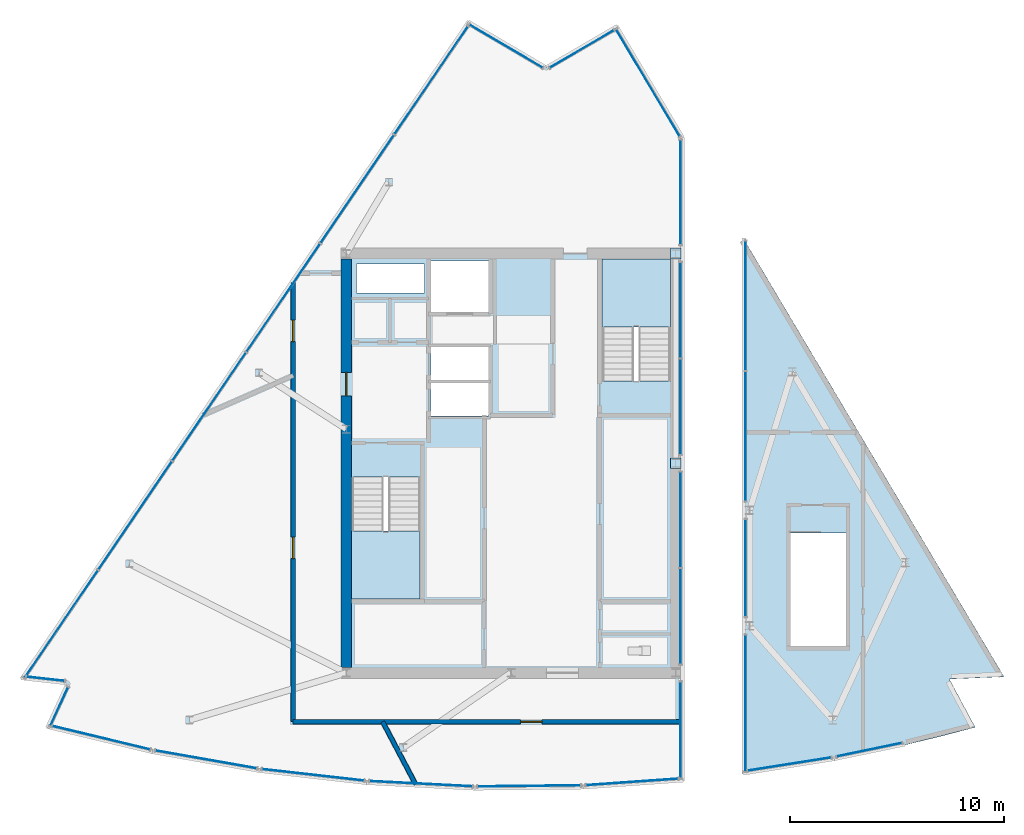
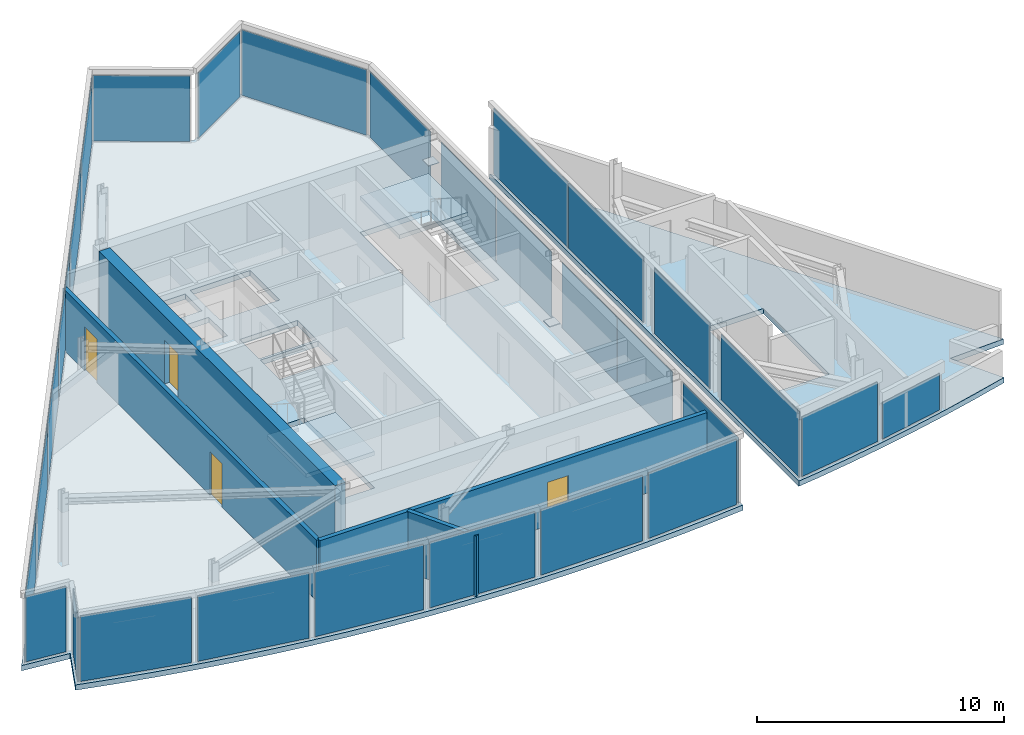
# One storey, part 7 of 13: 31 plates, 4 doors, 4 slabs, 4 walls, 4 openings, 23 elements without a shape of their own.
"""IFC4 building model written with IfcOpenShell, lengths in metres."""

from ifc_helpers import new_model, si_unit, direction, frame, frame_2d, origin, origin_2d, place, context, subcontext, project, spatial, polyline, rectangle, outline, extrude, material, layer, layer_set, type_object, element, fill, aggregate, save


model = new_model("IFC4")

# Units and contexts
model_context = context("Model", 3, precision=1e-05, world=origin(), true_north=direction((0.0, 1.0)))
body_context = subcontext(model_context, "Body", "Model", "MODEL_VIEW")
ifc_project = project(units=[si_unit("LENGTHUNIT", "METRE"), si_unit("AREAUNIT", "SQUARE_METRE"), si_unit("VOLUMEUNIT", "CUBIC_METRE"), si_unit("PLANEANGLEUNIT", "RADIAN"), si_unit("MASSUNIT", "GRAM", prefix="KILO")], contexts=[model_context])

# Site, building, storey
site_placement = place(None, origin())
site = spatial("IfcSite", under=ifc_project, at=site_placement, CompositionType="ELEMENT")
building_placement = place(site_placement, origin())
building = spatial("IfcBuilding", under=site, at=building_placement, Name="Savorim Split Tower", CompositionType="ELEMENT")
storey_placement = place(building_placement, frame((0.0, 0.0, 312.0)))
storey = spatial("IfcBuildingStorey", under=building, at=storey_placement, Name="Crown L83 Plant", CompositionType="ELEMENT", Elevation=312.0)

# Curtain wall, plate
ifc_material_1 = material(Name="Dark Ceramic-Fritted Insulated Glass", Category="glass")
curtain_wall_type = type_object("IfcCurtainWallType", Name="CW-CROWN-CREST", PredefinedType="NOTDEFINED", material=ifc_material_1)
curtain_wall_1_placement = place(storey_placement, origin())
curtain_wall_1 = element("IfcCurtainWall", 1, at=curtain_wall_1_placement, inside=storey, type_object=curtain_wall_type, Name="Crown L83 Plant Curtain Wall CW-Crown-L83-Plant-W1AS1", PredefinedType="NOTDEFINED")
ifc_layer_1 = layer(ifc_material_1, 0.02587890625)
ifc_layer_set_1 = layer_set([ifc_layer_1], Name="CWP-FRITB-26")
plate_type_1 = type_object("IfcPlateType", Name="CWP-FRITB-26", PredefinedType="CURTAIN_PANEL", material=ifc_layer_set_1)
plate_1_placement = place(storey_placement, frame((7.929931640625, -12.067626953125, 0.0498046875), z_axis=(0.0, 0.0, 1.0), x_axis=(0.0, 1.0, 0.0)))
plate_1 = element("IfcPlate", 2, at=plate_1_placement, type_object=plate_type_1, Name="CW-07 panel 1.1", PredefinedType="CURTAIN_PANEL", context=body_context, shape_type="SweptSolid", body=[
    extrude(rectangle(XDim=4.483154296875, YDim=0.02587890625, at=origin_2d()), origin(), (0.0, 0.0, 1.0), 3.239990234375),
])
aggregate(curtain_wall_1, [plate_1])

# Curtain wall, plates
curtain_wall_2_placement = place(storey_placement, origin())
curtain_wall_2 = element("IfcCurtainWall", 3, at=curtain_wall_2_placement, inside=storey, type_object=curtain_wall_type, Name="Crown L83 Plant Curtain Wall CW-Crown-L83-Plant-W1AS2", PredefinedType="NOTDEFINED")
plate_2_placement = place(storey_placement, frame((7.929931640625, -6.751953125, 0.0498046875), z_axis=(0.0, 0.0, 1.0), x_axis=(0.0, 1.0, 0.0)))
plate_2 = element("IfcPlate", 4, at=plate_2_placement, type_object=plate_type_1, Name="CW-07 panel 1.1", PredefinedType="CURTAIN_PANEL", context=body_context, shape_type="SweptSolid", body=[
    extrude(rectangle(XDim=4.444091796875, YDim=0.02587890625, at=origin_2d()), origin(), (0.0, 0.0, 1.0), 3.239990234375),
])
plate_3_placement = place(storey_placement, frame((7.929931640625, -2.248046875, 0.0498046875), z_axis=(0.0, 0.0, 1.0), x_axis=(0.0, 1.0, 0.0)))
plate_3 = element("IfcPlate", 5, at=plate_3_placement, type_object=plate_type_1, Name="CW-07 panel 2.1", PredefinedType="CURTAIN_PANEL", context=body_context, shape_type="SweptSolid", body=[
    extrude(rectangle(XDim=4.444091796875, YDim=0.02587890625, at=origin_2d()), origin(), (0.0, 0.0, 1.0), 3.239990234375),
])
aggregate(curtain_wall_2, [plate_2, plate_3])

curtain_wall_3_placement = place(storey_placement, origin())
curtain_wall_3 = element("IfcCurtainWall", 6, at=curtain_wall_3_placement, inside=storey, type_object=curtain_wall_type, Name="Crown L83 Plant Curtain Wall CW-Crown-L83-Plant-W1AS3", PredefinedType="NOTDEFINED")
plate_4_placement = place(storey_placement, frame((7.929931640625, 3.048095703125, 0.0498046875), z_axis=(0.0, 0.0, 1.0), x_axis=(0.0, 1.0, 0.0)))
plate_4 = element("IfcPlate", 7, at=plate_4_placement, type_object=plate_type_1, Name="CW-07 panel 1.1", PredefinedType="CURTAIN_PANEL", context=body_context, shape_type="SweptSolid", body=[
    extrude(rectangle(XDim=4.444091796875, YDim=0.02587890625, at=origin_2d()), origin(), (0.0, 0.0, 1.0), 3.239990234375),
])
plate_5_placement = place(storey_placement, frame((7.929931640625, 7.552001953125, 0.0498046875), z_axis=(0.0, 0.0, 1.0), x_axis=(0.0, 1.0, 0.0)))
plate_5 = element("IfcPlate", 8, at=plate_5_placement, type_object=plate_type_1, Name="CW-07 panel 2.1", PredefinedType="CURTAIN_PANEL", context=body_context, shape_type="SweptSolid", body=[
    extrude(rectangle(XDim=4.444091796875, YDim=0.02587890625, at=origin_2d()), origin(), (0.0, 0.0, 1.0), 3.239990234375),
])
aggregate(curtain_wall_3, [plate_4, plate_5])

# Curtain wall, plate
curtain_wall_4_placement = place(storey_placement, origin())
curtain_wall_4 = element("IfcCurtainWall", 9, at=curtain_wall_4_placement, inside=storey, type_object=curtain_wall_type, Name="Crown L83 Plant Curtain Wall CW-Crown-L83-Plant-W1AS4", PredefinedType="NOTDEFINED")
plate_6_placement = place(storey_placement, frame((7.929931640625, 13.060302734375, 0.0498046875), z_axis=(0.0, 0.0, 1.0), x_axis=(0.0, 1.0, 0.0)))
plate_6 = element("IfcPlate", 10, at=plate_6_placement, type_object=plate_type_1, Name="CW-07 panel 1.1", PredefinedType="CURTAIN_PANEL", context=body_context, shape_type="SweptSolid", body=[
    extrude(rectangle(XDim=4.868896484375, YDim=0.02587890625, at=origin_2d()), origin(), (0.0, 0.0, 1.0), 3.239990234375),
])
aggregate(curtain_wall_4, [plate_6])

curtain_wall_5_placement = place(storey_placement, origin())
curtain_wall_5 = element("IfcCurtainWall", 11, at=curtain_wall_5_placement, inside=storey, type_object=curtain_wall_type, Name="Crown L83 Plant Curtain Wall CW-Crown-L83-Plant-W2A", PredefinedType="NOTDEFINED")
plate_7_placement = place(storey_placement, frame((6.394775390625, 18.18359375, 0.0498046875), z_axis=(0.0, 0.0, 1.0), x_axis=(-0.511102068801, 0.8595200261, 0.0)))
plate_7 = element("IfcPlate", 12, at=plate_7_placement, type_object=plate_type_1, Name="CW-07 panel 1.1", PredefinedType="CURTAIN_PANEL", context=body_context, shape_type="SweptSolid", body=[
    extrude(rectangle(XDim=5.793212890625, YDim=0.02587890625, at=origin_2d()), origin(), (0.0, 0.0, 1.0), 3.239990234375),
])
aggregate(curtain_wall_5, [plate_7])

curtain_wall_6_placement = place(storey_placement, origin())
curtain_wall_6 = element("IfcCurtainWall", 13, at=curtain_wall_6_placement, inside=storey, type_object=curtain_wall_type, Name="Crown L83 Plant Curtain Wall CW-Crown-L83-Plant-W3A", PredefinedType="NOTDEFINED")
plate_8_placement = place(storey_placement, frame((3.309326171875, 19.76220703125, 0.0498046875), z_axis=(0.0, 0.0, 1.0), x_axis=(-0.863981657012, -0.503523282824, 0.0)))
plate_8 = element("IfcPlate", 14, at=plate_8_placement, type_object=plate_type_1, Name="CW-07 panel 1.1", PredefinedType="CURTAIN_PANEL", context=body_context, shape_type="SweptSolid", body=[
    extrude(rectangle(XDim=3.4384765625, YDim=0.02587890625, at=origin_2d()), origin(), (0.0, 0.0, 1.0), 3.239990234375),
])
aggregate(curtain_wall_6, [plate_8])

curtain_wall_7_placement = place(storey_placement, origin())
curtain_wall_7 = element("IfcCurtainWall", 15, at=curtain_wall_7_placement, inside=storey, type_object=curtain_wall_type, Name="Crown L83 Plant Curtain Wall CW-Crown-L83-Plant-W4A", PredefinedType="NOTDEFINED")
plate_9_placement = place(storey_placement, frame((-0.23583984375, 19.89453125, 0.0498046875), z_axis=(0.0, 0.0, 1.0), x_axis=(-0.862122988493, 0.506699075105, 0.0)))
plate_9 = element("IfcPlate", 16, at=plate_9_placement, type_object=plate_type_1, Name="CW-07 panel 1.1", PredefinedType="CURTAIN_PANEL", context=body_context, shape_type="SweptSolid", body=[
    extrude(rectangle(XDim=3.936767578125, YDim=0.02587890625, at=origin_2d()), origin(), (0.0, 0.0, 1.0), 3.239990234375),
])
aggregate(curtain_wall_7, [plate_9])

# Curtain wall, plates
curtain_wall_8_placement = place(storey_placement, origin())
curtain_wall_8 = element("IfcCurtainWall", 17, at=curtain_wall_8_placement, inside=storey, type_object=curtain_wall_type, Name="Crown L83 Plant Curtain Wall CW-Crown-L83-Plant-W5A", PredefinedType="NOTDEFINED")
plate_10_placement = place(storey_placement, frame((-3.736083984375, 18.29052734375, 0.0498046875), z_axis=(0.0, 0.0, 1.0), x_axis=(-0.562465496553, -0.826820757593, 0.0)))
plate_10 = element("IfcPlate", 18, at=plate_10_placement, type_object=plate_type_1, Name="CW-07 panel 1.1", PredefinedType="CURTAIN_PANEL", context=body_context, shape_type="SweptSolid", body=[
    extrude(rectangle(XDim=6.061279296875, YDim=0.02587890625, at=origin_2d()), origin(), (0.0, 0.0, 1.0), 3.239990234375),
])
plate_11_placement = place(storey_placement, frame((-7.1875, 13.217041015625, 0.0498046875), z_axis=(0.0, 0.0, 1.0), x_axis=(-0.562465496553, -0.826820757593, 0.0)))
plate_11 = element("IfcPlate", 19, at=plate_11_placement, type_object=plate_type_1, Name="CW-07 panel 2.1", PredefinedType="CURTAIN_PANEL", context=body_context, shape_type="SweptSolid", body=[
    extrude(rectangle(XDim=6.09130859375, YDim=0.02587890625, at=origin_2d()), origin(), (0.0, 0.0, 1.0), 3.239990234375),
])
plate_12_placement = place(storey_placement, frame((-10.6474609375, 8.131103515625, 0.0498046875), z_axis=(0.0, 0.0, 1.0), x_axis=(-0.562465496553, -0.826820757593, 0.0)))
plate_12 = element("IfcPlate", 20, at=plate_12_placement, type_object=plate_type_1, Name="CW-07 panel 3.1", PredefinedType="CURTAIN_PANEL", context=body_context, shape_type="SweptSolid", body=[
    extrude(rectangle(XDim=6.09130859375, YDim=0.02587890625, at=origin_2d()), origin(), (0.0, 0.0, 1.0), 3.239990234375),
])
plate_13_placement = place(storey_placement, frame((-14.107177734375, 3.045166015625, 0.0498046875), z_axis=(0.0, 0.0, 1.0), x_axis=(-0.562465496553, -0.826820757593, 0.0)))
plate_13 = element("IfcPlate", 21, at=plate_13_placement, type_object=plate_type_1, Name="CW-07 panel 4.1", PredefinedType="CURTAIN_PANEL", context=body_context, shape_type="SweptSolid", body=[
    extrude(rectangle(XDim=6.09130859375, YDim=0.02587890625, at=origin_2d()), origin(), (0.0, 0.0, 1.0), 3.239990234375),
])
plate_14_placement = place(storey_placement, frame((-17.567138671875, -2.040771484375, 0.0498046875), z_axis=(0.0, 0.0, 1.0), x_axis=(-0.562465496553, -0.826820757593, 0.0)))
plate_14 = element("IfcPlate", 22, at=plate_14_placement, type_object=plate_type_1, Name="CW-07 panel 5.1", PredefinedType="CURTAIN_PANEL", context=body_context, shape_type="SweptSolid", body=[
    extrude(rectangle(XDim=6.09130859375, YDim=0.02587890625, at=origin_2d()), origin(), (0.0, 0.0, 1.0), 3.239990234375),
])
plate_15_placement = place(storey_placement, frame((-21.0185546875, -7.1142578125, 0.0498046875), z_axis=(0.0, 0.0, 1.0), x_axis=(-0.562465496553, -0.826820757593, 0.0)))
plate_15 = element("IfcPlate", 23, at=plate_15_placement, type_object=plate_type_1, Name="CW-07 panel 6.1", PredefinedType="CURTAIN_PANEL", context=body_context, shape_type="SweptSolid", body=[
    extrude(rectangle(XDim=6.061279296875, YDim=0.02587890625, at=origin_2d()), origin(), (0.0, 0.0, 1.0), 3.239990234375),
])
aggregate(curtain_wall_8, [plate_10, plate_11, plate_12, plate_13, plate_14, plate_15])

# Curtain wall, plate
curtain_wall_9_placement = place(storey_placement, origin())
curtain_wall_9 = element("IfcCurtainWall", 24, at=curtain_wall_9_placement, inside=storey, type_object=curtain_wall_type, Name="Crown L83 Plant Curtain Wall CW-Crown-L83-Plant-W6A", PredefinedType="NOTDEFINED")
plate_16_placement = place(storey_placement, frame((-21.766357421875, -9.67431640625, 0.0498046875), z_axis=(0.0, 0.0, 1.0), x_axis=(0.993822177409, -0.110984141614, 0.0)))
plate_16 = element("IfcPlate", 25, at=plate_16_placement, type_object=plate_type_1, Name="CW-07 panel 1.1", PredefinedType="CURTAIN_PANEL", context=body_context, shape_type="SweptSolid", body=[
    extrude(rectangle(XDim=1.766845703125, YDim=0.02587890625, at=origin_2d()), origin(), (0.0, 0.0, 1.0), 3.239990234375),
])
aggregate(curtain_wall_9, [plate_16])

curtain_wall_10_placement = place(storey_placement, origin())
curtain_wall_10 = element("IfcCurtainWall", 26, at=curtain_wall_10_placement, inside=storey, type_object=curtain_wall_type, Name="Crown L83 Plant Curtain Wall CW-Crown-L83-Plant-W7A", PredefinedType="NOTDEFINED")
plate_17_placement = place(storey_placement, frame((-21.12109375, -10.974853515625, 0.0498046875), z_axis=(0.0, 0.0, 1.0), x_axis=(-0.417487295778, -0.908682759749, 0.0)))
plate_17 = element("IfcPlate", 27, at=plate_17_placement, type_object=plate_type_1, Name="CW-07 panel 1.1", PredefinedType="CURTAIN_PANEL", context=body_context, shape_type="SweptSolid", body=[
    extrude(rectangle(XDim=1.959716796875, YDim=0.02587890625, at=origin_2d()), origin(), (0.0, 0.0, 1.0), 3.239990234375),
])
aggregate(curtain_wall_10, [plate_17])

curtain_wall_11_placement = place(storey_placement, origin())
curtain_wall_11 = element("IfcCurtainWall", 28, at=curtain_wall_11_placement, inside=storey, type_object=curtain_wall_type, Name="Crown L83 Plant Curtain Wall CW-Crown-L83-Plant-W8A", PredefinedType="NOTDEFINED")
plate_18_placement = place(storey_placement, frame((-19.155517578125, -12.4287109375, 0.0498046875), z_axis=(0.0, 0.0, 1.0), x_axis=(0.972437572279, -0.233163393397, 0.0)))
plate_18 = element("IfcPlate", 29, at=plate_18_placement, type_object=plate_type_1, Name="CW-07 panel 1.1", PredefinedType="CURTAIN_PANEL", context=body_context, shape_type="SweptSolid", body=[
    extrude(rectangle(XDim=4.680908203125, YDim=0.02587890625, at=origin_2d()), origin(), (0.0, 0.0, 1.0), 3.239990234375),
])
aggregate(curtain_wall_11, [plate_18])

curtain_wall_12_placement = place(storey_placement, origin())
curtain_wall_12 = element("IfcCurtainWall", 30, at=curtain_wall_12_placement, inside=storey, type_object=curtain_wall_type, Name="Crown L83 Plant Curtain Wall CW-Crown-L83-Plant-W9A", PredefinedType="NOTDEFINED")
plate_19_placement = place(storey_placement, frame((-14.255859375, -13.44384765625, 0.0498046875), z_axis=(0.0, 0.0, 1.0), x_axis=(0.984911340959, -0.173059673092, 0.0)))
plate_19 = element("IfcPlate", 31, at=plate_19_placement, type_object=plate_type_1, Name="CW-07 panel 1.1", PredefinedType="CURTAIN_PANEL", context=body_context, shape_type="SweptSolid", body=[
    extrude(rectangle(XDim=4.785888671875, YDim=0.02587890625, at=origin_2d()), origin(), (0.0, 0.0, 1.0), 3.239990234375),
])
aggregate(curtain_wall_12, [plate_19])

curtain_wall_13_placement = place(storey_placement, origin())
curtain_wall_13 = element("IfcCurtainWall", 32, at=curtain_wall_13_placement, inside=storey, type_object=curtain_wall_type, Name="Crown L83 Plant Curtain Wall CW-Crown-L83-Plant-W10A", PredefinedType="NOTDEFINED")
plate_20_placement = place(storey_placement, frame((-9.25146484375, -14.16552734375, 0.0498046875), z_axis=(0.0, 0.0, 1.0), x_axis=(0.993670624065, -0.1123329465, 0.0)))
plate_20 = element("IfcPlate", 33, at=plate_20_placement, type_object=plate_type_1, Name="CW-07 panel 1.1", PredefinedType="CURTAIN_PANEL", context=body_context, shape_type="SweptSolid", body=[
    extrude(rectangle(XDim=4.785888671875, YDim=0.02587890625, at=origin_2d()), origin(), (0.0, 0.0, 1.0), 3.239990234375),
])
aggregate(curtain_wall_13, [plate_20])

curtain_wall_14_placement = place(storey_placement, origin())
curtain_wall_14 = element("IfcCurtainWall", 34, at=curtain_wall_14_placement, inside=storey, type_object=curtain_wall_type, Name="Crown L83 Plant Curtain Wall CW-Crown-L83-Plant-W11A", PredefinedType="NOTDEFINED")
plate_21_placement = place(storey_placement, frame((-4.21240234375, -14.578857421875, 0.0498046875), z_axis=(0.0, 0.0, 1.0), x_axis=(0.998691323351, -0.051143334498, 0.0)))
plate_21 = element("IfcPlate", 35, at=plate_21_placement, type_object=plate_type_1, Name="CW-07 panel 1.1", PredefinedType="CURTAIN_PANEL", context=body_context, shape_type="SweptSolid", body=[
    extrude(rectangle(XDim=4.785888671875, YDim=0.02587890625, at=origin_2d()), origin(), (0.0, 0.0, 1.0), 3.239990234375),
])
aggregate(curtain_wall_14, [plate_21])

curtain_wall_15_placement = place(storey_placement, origin())
curtain_wall_15 = element("IfcCurtainWall", 36, at=curtain_wall_15_placement, inside=storey, type_object=curtain_wall_type, Name="Crown L83 Plant Curtain Wall CW-Crown-L83-Plant-W12A", PredefinedType="NOTDEFINED")
plate_22_placement = place(storey_placement, frame((0.8427734375, -14.682373046875, 0.0498046875), z_axis=(0.0, 0.0, 1.0), x_axis=(0.999947644891, 0.010232667101, 0.0)))
plate_22 = element("IfcPlate", 37, at=plate_22_placement, type_object=plate_type_1, Name="CW-07 panel 1.1", PredefinedType="CURTAIN_PANEL", context=body_context, shape_type="SweptSolid", body=[
    extrude(rectangle(XDim=4.785888671875, YDim=0.02587890625, at=origin_2d()), origin(), (0.0, 0.0, 1.0), 3.239990234375),
])
aggregate(curtain_wall_15, [plate_22])

curtain_wall_16_placement = place(storey_placement, origin())
curtain_wall_16 = element("IfcCurtainWall", 38, at=curtain_wall_16_placement, inside=storey, type_object=curtain_wall_type, Name="Crown L83 Plant Curtain Wall CW-Crown-L83-Plant-W13A", PredefinedType="NOTDEFINED")
plate_23_placement = place(storey_placement, frame((5.652587890625, -14.496826171875, 0.0498046875), z_axis=(0.0, 0.0, 1.0), x_axis=(0.997554599416, 0.069891495788, 0.0)))
plate_23 = element("IfcPlate", 39, at=plate_23_placement, type_object=plate_type_1, Name="CW-07 panel 1.1", PredefinedType="CURTAIN_PANEL", context=body_context, shape_type="SweptSolid", body=[
    extrude(rectangle(XDim=4.2998046875, YDim=0.02587890625, at=origin_2d()), origin(), (0.0, 0.0, 1.0), 3.239990234375),
])
aggregate(curtain_wall_16, [plate_23])

# Curtain wall, plates
curtain_wall_17_placement = place(storey_placement, origin())
curtain_wall_17 = element("IfcCurtainWall", 40, at=curtain_wall_17_placement, inside=storey, type_object=curtain_wall_type, Name="Crown L83 Plant Curtain Wall CW-Crown-L83-Plant-E1AS1", PredefinedType="NOTDEFINED")
plate_24_placement = place(storey_placement, frame((10.969970703125, 7.764404296875, 0.0498046875), z_axis=(0.0, 0.0, 1.0), x_axis=(0.0, -1.0, 0.0)))
plate_24 = element("IfcPlate", 41, at=plate_24_placement, type_object=plate_type_1, Name="CW-07 panel 1.1", PredefinedType="CURTAIN_PANEL", context=body_context, shape_type="SweptSolid", body=[
    extrude(rectangle(XDim=6.04296875, YDim=0.02587890625, at=origin_2d()), origin(), (0.0, 0.0, 1.0), 3.239990234375),
])
plate_25_placement = place(storey_placement, frame((10.969970703125, 1.661376953125, 0.0498046875), z_axis=(0.0, 0.0, 1.0), x_axis=(0.0, -1.0, 0.0)))
plate_25 = element("IfcPlate", 42, at=plate_25_placement, type_object=plate_type_1, Name="CW-07 panel 2.1", PredefinedType="CURTAIN_PANEL", context=body_context, shape_type="SweptSolid", body=[
    extrude(rectangle(XDim=6.04296875, YDim=0.02587890625, at=origin_2d()), origin(), (0.0, 0.0, 1.0), 3.239990234375),
])
aggregate(curtain_wall_17, [plate_24, plate_25])

# Curtain wall, plate
curtain_wall_18_placement = place(storey_placement, origin())
curtain_wall_18 = element("IfcCurtainWall", 43, at=curtain_wall_18_placement, inside=storey, type_object=curtain_wall_type, Name="Crown L83 Plant Curtain Wall CW-Crown-L83-Plant-E1AS2", PredefinedType="NOTDEFINED")
plate_26_placement = place(storey_placement, frame((10.969970703125, -4.5, 0.0498046875), z_axis=(0.0, 0.0, 1.0), x_axis=(0.0, -1.0, 0.0)))
plate_26 = element("IfcPlate", 44, at=plate_26_placement, type_object=plate_type_1, Name="CW-07 panel 1.1", PredefinedType="CURTAIN_PANEL", context=body_context, shape_type="SweptSolid", body=[
    extrude(rectangle(XDim=4.52001953125, YDim=0.02587890625, at=origin_2d()), origin(), (0.0, 0.0, 1.0), 3.239990234375),
])
aggregate(curtain_wall_18, [plate_26])

curtain_wall_19_placement = place(storey_placement, origin())
curtain_wall_19 = element("IfcCurtainWall", 45, at=curtain_wall_19_placement, inside=storey, type_object=curtain_wall_type, Name="Crown L83 Plant Curtain Wall CW-Crown-L83-Plant-E1AS3", PredefinedType="NOTDEFINED")
plate_27_placement = place(storey_placement, frame((10.969970703125, -10.8125, 0.0498046875), z_axis=(0.0, 0.0, 1.0), x_axis=(0.0, -1.0, 0.0)))
plate_27 = element("IfcPlate", 46, at=plate_27_placement, type_object=plate_type_1, Name="CW-07 panel 1.1", PredefinedType="CURTAIN_PANEL", context=body_context, shape_type="SweptSolid", body=[
    extrude(rectangle(XDim=6.344970703125, YDim=0.02587890625, at=origin_2d()), origin(), (0.0, 0.0, 1.0), 3.239990234375),
])
aggregate(curtain_wall_19, [plate_27])

curtain_wall_20_placement = place(storey_placement, origin())
curtain_wall_20 = element("IfcCurtainWall", 47, at=curtain_wall_20_placement, inside=storey, type_object=curtain_wall_type, Name="Crown L83 Plant Curtain Wall CW-Crown-L83-Plant-E2A", PredefinedType="NOTDEFINED")
plate_28_placement = place(storey_placement, frame((13.01513671875, -13.66064453125, 0.050048828125), z_axis=(0.0, 0.0, 1.0), x_axis=(0.987694042245, 0.156398461993, 0.0)))
plate_28 = element("IfcPlate", 48, at=plate_28_placement, type_object=plate_type_1, Name="CW-07 panel 1.1", PredefinedType="CURTAIN_PANEL", context=body_context, shape_type="SweptSolid", body=[
    extrude(rectangle(XDim=3.932373046875, YDim=0.02587890625, at=origin_2d()), origin(), (0.0, 0.0, 1.0), 2.95263671875),
])
aggregate(curtain_wall_20, [plate_28])

curtain_wall_21_placement = place(storey_placement, origin())
curtain_wall_21 = element("IfcCurtainWall", 49, at=curtain_wall_21_placement, inside=storey, type_object=curtain_wall_type, Name="Crown L83 Plant Curtain Wall CW-Crown-L83-Plant-E3A", PredefinedType="NOTDEFINED")
plate_29_placement = place(storey_placement, frame((16.743408203125, -12.9892578125, 0.0498046875), z_axis=(0.0, 0.0, 1.0), x_axis=(0.979144803863, 0.203163611574, 0.0)))
plate_29 = element("IfcPlate", 50, at=plate_29_placement, type_object=plate_type_1, Name="CW-07 panel 1.1", PredefinedType="CURTAIN_PANEL", context=body_context, shape_type="SweptSolid", body=[
    extrude(rectangle(XDim=3.09765625, YDim=0.02587890625, at=origin_2d()), origin(), (0.0, 0.0, 1.0), 1.813232421875),
])
aggregate(curtain_wall_21, [plate_29])

# Plates
ifc_material_2 = material(Name="Steel S460", Category="steel")
ifc_layer_2 = layer(ifc_material_2, 0.02490234375)
ifc_layer_set_2 = layer_set([ifc_layer_2], Name="PLT-NODE-CN1")
plate_type_2 = type_object("IfcPlateType", Name="PLT-NODE-CN1", PredefinedType="SHEET", material=ifc_layer_set_2)
for number, where, z_axis, x_axis, name in (
    (51, (7.699951171875, 0.39990234375, 0.137451171875), (0.0, 0.0, 1.0), (1.0, 0.0, 0.0), "Crown L83 Plant Crown Spine Base Gusset Plate CN1"),
    (52, (7.699951171875, 10.199951171875, 2.137451171875), (0.0, 0.0, 1.0), (1.0, 0.0, 0.0), "Crown L83 Plant Crown Spine Top Gusset Plate CN2"),
):
    element("IfcPlate", number, at=place(storey_placement, frame(where, z_axis=z_axis, x_axis=x_axis)), inside=storey, type_object=plate_type_2, Name=name, PredefinedType="SHEET", context=body_context, shape_type="SweptSolid", body=[
        extrude(rectangle(XDim=0.5, YDim=0.5, at=origin_2d()), origin(), (0.0, 0.0, 1.0), 0.02490234375),
    ])

# Slabs
ifc_material_3 = material(Name="Concrete C50/60", Category="concrete")
ifc_layer_3 = layer(ifc_material_3, 0.260009765625)
ifc_layer_set_3 = layer_set([ifc_layer_3], Name="SLB-CRN-260")
slab_type_1 = type_object("IfcSlabType", Name="SLB-CRN-260", PredefinedType="FLOOR", material=ifc_layer_set_3)
slab_1_placement = place(storey_placement, frame((0.0, 0.0, -0.260009765625)))
element("IfcSlab", 53, at=slab_1_placement, inside=storey, type_object=slab_type_1, Name="Crown L83 Plant West Split Crown Floor Slab", PredefinedType="FLOOR", context=body_context, shape_type="SweptSolid", body=[
    extrude(outline(polyline([(8.050048828125, -14.44921875), (8.050048828125, 15.634765625), (4.946044921875, 20.85498046875), (1.642578125, 18.9296875), (-1.992919921875, 21.06640625), (-22.90087890625, -9.668212890625), (-20.762451171875, -9.906982421875), (-21.697509765625, -11.9423828125), (-20.063720703125, -12.36962890625), (-18.42138671875, -12.763427734375), (-16.771240234375, -13.12353515625), (-15.1142578125, -13.44970703125), (-13.450927734375, -13.7421875), (-11.781982421875, -14.000244140625), (-10.10791015625, -14.224365234375), (-8.4296875, -14.4140625), (-6.748046875, -14.5693359375), (-5.0634765625, -14.690185546875), (-3.376708984375, -14.776611328125), (-1.688720703125, -14.828369140625), (0.0, -14.845703125), (1.688720703125, -14.828369140625), (3.376708984375, -14.776611328125), (5.0634765625, -14.690185546875), (6.748046875, -14.5693359375), (8.050048828125, -14.44921875)]), holes=[polyline([(-7.449951171875, -0.25390625), (-7.449951171875, -5.949951171875), (-4.25, -5.949951171875), (-4.25, -0.25390625), (-7.449951171875, -0.25390625)]), polyline([(7.449951171875, 4.25390625), (7.449951171875, 9.949951171875), (4.25, 9.949951171875), (4.25, 4.25390625), (7.449951171875, 4.25390625)]), polyline([(-3.75, 2.60009765625), (-1.050048828125, 2.60009765625), (-1.050048828125, 4.159912109375), (-3.75, 4.159912109375), (-3.75, 2.60009765625)]), polyline([(-3.75, 4.280029296875), (-1.050048828125, 4.280029296875), (-1.050048828125, 5.840087890625), (-3.75, 5.840087890625), (-3.75, 4.280029296875)]), polyline([(-3.75, 7.449951171875), (-0.949951171875, 7.449951171875), (-0.949951171875, 9.85009765625), (-3.75, 9.85009765625), (-3.75, 7.449951171875)]), polyline([(-7.219970703125, 6.320068359375), (-5.919921875, 6.320068359375), (-5.919921875, 7.820068359375), (-7.219970703125, 7.820068359375), (-7.219970703125, 6.320068359375)]), polyline([(-5.3798828125, 6.320068359375), (-4.050048828125, 6.320068359375), (-4.050048828125, 7.820068359375), (-5.3798828125, 7.820068359375), (-5.3798828125, 6.320068359375)]), polyline([(-7.219970703125, 8.360107421875), (-4.050048828125, 8.360107421875), (-4.050048828125, 9.719970703125), (-7.219970703125, 9.719970703125), (-7.219970703125, 8.360107421875)])]), origin(), (0.0, 0.0, 1.0), 0.260009765625),
])
slab_2_placement = place(storey_placement, frame((0.0, 0.0, -0.260009765625)))
element("IfcSlab", 54, at=slab_2_placement, inside=storey, type_object=slab_type_1, Name="Crown L83 Plant East Split Crown Floor Slab", PredefinedType="FLOOR", context=body_context, shape_type="SweptSolid", body=[
    extrude(outline(polyline([(10.85009765625, 10.92578125), (10.85009765625, -14.125), (11.781982421875, -14.000244140625), (13.450927734375, -13.7421875), (15.1142578125, -13.44970703125), (16.771240234375, -13.12353515625), (18.42138671875, -12.763427734375), (20.063720703125, -12.36962890625), (21.697509765625, -11.9423828125), (20.4873046875, -9.68701171875), (23.042236328125, -9.578369140625), (10.85009765625, 10.92578125)]), holes=[polyline([(13.02001953125, -2.85400390625), (13.02001953125, -8.199951171875), (15.699951171875, -8.199951171875), (15.699951171875, -2.85400390625), (13.02001953125, -2.85400390625)])]), origin(), (0.0, 0.0, 1.0), 0.260009765625),
])

# Stair, slab
stair_type = type_object("IfcStairType", Name="STR-DOG-3600", PredefinedType="HALF_TURN_STAIR", material=ifc_material_3)
stair_1_placement = place(storey_placement, origin())
stair_1 = element("IfcStair", 55, at=stair_1_placement, inside=storey, type_object=stair_type, Name="Crown L83 Plant Core Protected Exit Stair ST-1", PredefinedType="HALF_TURN_STAIR")
ifc_layer_4 = layer(ifc_material_3, 0.199951171875)
ifc_layer_set_4 = layer_set([ifc_layer_4], Name="SLB-LND-200")
slab_type_2 = type_object("IfcSlabType", Name="SLB-LND-200", PredefinedType="LANDING", material=ifc_layer_set_4)
slab_3_placement = place(storey_placement, frame((0.0, 0.0, 1.60009765625)))
slab_3 = element("IfcSlab", 56, at=slab_3_placement, type_object=slab_type_2, Name="ST-1 landing 1", PredefinedType="LANDING", context=body_context, shape_type="SweptSolid", body=[
    extrude(outline(polyline([(-7.449951171875, -2.77001953125), (-7.449951171875, -5.949951171875), (-4.25, -5.949951171875), (-4.25, -2.77001953125), (-7.449951171875, -2.77001953125)])), origin(), (0.0, 0.0, 1.0), 0.199951171875),
])
aggregate(stair_1, [slab_3])

stair_2_placement = place(storey_placement, origin())
stair_2 = element("IfcStair", 57, at=stair_2_placement, inside=storey, type_object=stair_type, Name="Crown L83 Plant Core Protected Exit Stair ST-2", PredefinedType="HALF_TURN_STAIR")
slab_4_placement = place(storey_placement, frame((0.0, 0.0, 1.60009765625)))
slab_4 = element("IfcSlab", 58, at=slab_4_placement, type_object=slab_type_2, Name="ST-2 landing 1", PredefinedType="LANDING", context=body_context, shape_type="SweptSolid", body=[
    extrude(outline(polyline([(7.449951171875, 6.77001953125), (7.449951171875, 9.949951171875), (4.25, 9.949951171875), (4.25, 6.77001953125), (7.449951171875, 6.77001953125)])), origin(), (0.0, 0.0, 1.0), 0.199951171875),
])
aggregate(stair_2, [slab_4])

# Wall, opening, door
ifc_material_4 = material(Name="Concrete C60/75", Category="concrete")
ifc_layer_5 = layer(ifc_material_4, 0.5)
ifc_layer_set_5 = layer_set([ifc_layer_5], Name="WAL-COR-SH500")
wall_type_1 = type_object("IfcWallType", Name="WAL-COR-SH500", PredefinedType="SHEAR", material=ifc_layer_set_5)
wall_1_placement = place(storey_placement, frame((-7.699951171875, -9.14990234375, 0.0), z_axis=(0.0, 0.0, 1.0), x_axis=(0.0, 1.0, 0.0)))
wall_1 = element("IfcWall", 59, at=wall_1_placement, inside=storey, type_object=wall_type_1, Name="Crown L83 Plant Offset Core West Shear Wall", PredefinedType="SHEAR", context=body_context, shape_type="SweptSolid", body=[
    extrude(rectangle(XDim=19.099853515625, YDim=0.5, at=frame_2d((9.5498046875, 0.0))), origin(), (0.0, 0.0, 1.0), 3.340087890625),
])
opening_1_placement = place(wall_1_placement, frame((12.699951171875, 0.0, 0.0)))
opening_1 = element("IfcOpeningElement", 60, at=opening_1_placement, cuts=wall_1, Name="Opening DI-03", PredefinedType="OPENING", context=body_context, shape_type="SweptSolid", body=[
    extrude(rectangle(XDim=1.10009765625, YDim=2.14990234375, at=frame_2d((0.550048828125, 1.074951171875))), frame((0.0, 0.260009765625, 0.0), z_axis=(0.0, -1.0, 0.0), x_axis=(1.0, 0.0, 0.0)), (0.0, 0.0, 1.0), 0.52001953125),
])
ifc_material_5 = material(Name="Timber Fire Door Leaf", Category="wood")
door_type_1 = type_object("IfcDoorType", Name="DOR-FIR-1100", OperationType="NOTDEFINED", PredefinedType="DOOR", material=ifc_material_5)
door_1_placement = place(opening_1_placement, origin())
door_1 = element("IfcDoor", 61, at=door_1_placement, inside=storey, type_object=door_type_1, Name="DOR-Crown-L83-Plant-COR-FFLOB - Crown L83 Plant Firefighting Lobby Corridor Door", OperationType="SINGLE_SWING_LEFT", OverallHeight=2.14990234375, OverallWidth=1.10009765625, PredefinedType="DOOR", context=body_context, shape_type="SweptSolid", body=[
    extrude(rectangle(XDim=1.10009765625, YDim=2.14990234375, at=frame_2d((0.550048828125, 1.074951171875))), frame((0.0, 0.02490234375, 0.0), z_axis=(0.0, -1.0, 0.0), x_axis=(1.0, 0.0, 0.0)), (0.0, 0.0, 1.0), 0.050048828125),
])
fill(opening_1, door_1)

# Wall, openings, doors
ifc_layer_6 = layer(ifc_material_3, 0.199951171875)
ifc_layer_set_6 = layer_set([ifc_layer_6], Name="WAL-INT-RC200")
wall_type_2 = type_object("IfcWallType", Name="WAL-INT-RC200", PredefinedType="SOLIDWALL", material=ifc_layer_set_6)
wall_2_placement = place(storey_placement, frame((-10.179931640625, -11.679931640625, 0.0), z_axis=(0.0, 0.0, 1.0), x_axis=(0.0, 1.0, 0.0)))
wall_2 = element("IfcWall", 62, at=wall_2_placement, inside=storey, type_object=wall_type_2, Name="Crown L83 Plant Partition W-Crown-L83-Plant-CWPC1", PredefinedType="SOLIDWALL", context=body_context, shape_type="SweptSolid", body=[
    extrude(rectangle(XDim=20.533447265625, YDim=0.199951171875, at=frame_2d((10.2666015625, 0.0))), origin(), (0.0, 0.0, 1.0), 2.9951171875),
])
opening_2_placement = place(wall_2_placement, frame((7.62451171875, 0.0, 0.0)))
opening_2 = element("IfcOpeningElement", 63, at=opening_2_placement, cuts=wall_2, Name="Opening DI-04", PredefinedType="OPENING", context=body_context, shape_type="SweptSolid", body=[
    extrude(rectangle(XDim=1.0, YDim=2.14990234375, at=frame_2d((0.5, 1.074951171875))), frame((0.0, 0.10986328125, 0.0), z_axis=(0.0, -1.0, 0.0), x_axis=(1.0, 0.0, 0.0)), (0.0, 0.0, 1.0), 0.219970703125),
])
opening_3_placement = place(wall_2_placement, frame((17.76953125, 0.0, 0.0)))
opening_3 = element("IfcOpeningElement", 64, at=opening_3_placement, cuts=wall_2, Name="Opening DI-04", PredefinedType="OPENING", context=body_context, shape_type="SweptSolid", body=[
    extrude(rectangle(XDim=1.0, YDim=2.14990234375, at=frame_2d((0.5, 1.074951171875))), frame((0.0, 0.10986328125, 0.0), z_axis=(0.0, -1.0, 0.0), x_axis=(1.0, 0.0, 0.0)), (0.0, 0.0, 1.0), 0.219970703125),
])
door_type_2 = type_object("IfcDoorType", Name="DOR-FIR-1000", OperationType="NOTDEFINED", PredefinedType="DOOR", material=ifc_material_5)
door_2_placement = place(opening_2_placement, origin())
door_2 = element("IfcDoor", 65, at=door_2_placement, inside=storey, type_object=door_type_2, Name="DR-Crown-L83-Plant-RM01 - Crown L83 Plant AHU Mechanical Plant Room Entry Door", OperationType="SINGLE_SWING_RIGHT", OverallHeight=2.14990234375, OverallWidth=1.0, PredefinedType="DOOR", context=body_context, shape_type="SweptSolid", body=[
    extrude(rectangle(XDim=1.0, YDim=2.14990234375, at=frame_2d((0.5, 1.074951171875))), frame((0.0, 0.02490234375, 0.0), z_axis=(0.0, -1.0, 0.0), x_axis=(1.0, 0.0, 0.0)), (0.0, 0.0, 1.0), 0.050048828125),
])
fill(opening_2, door_2)
door_3_placement = place(opening_3_placement, origin())
door_3 = element("IfcDoor", 66, at=door_3_placement, inside=storey, type_object=door_type_2, Name="DR-Crown-L83-Plant-RM04 - Crown L83 Plant Smoke Extract Fan Plant Room Entry Door", OperationType="SINGLE_SWING_LEFT", OverallHeight=2.14990234375, OverallWidth=1.0, PredefinedType="DOOR", context=body_context, shape_type="SweptSolid", body=[
    extrude(rectangle(XDim=1.0, YDim=2.14990234375, at=frame_2d((0.5, 1.074951171875))), frame((0.0, 0.02490234375, 0.0), z_axis=(0.0, -1.0, 0.0), x_axis=(1.0, 0.0, 0.0)), (0.0, 0.0, 1.0), 0.050048828125),
])
fill(opening_3, door_3)

# Wall, opening, door
wall_3_placement = place(storey_placement, frame((-10.179931640625, -11.679931640625, 0.0), z_axis=(0.0, 0.0, 1.0), x_axis=(1.0, 0.0, 0.0)))
wall_3 = element("IfcWall", 67, at=wall_3_placement, inside=storey, type_object=wall_type_2, Name="Crown L83 Plant Partition W-Crown-L83-Plant-CWPC2", PredefinedType="SOLIDWALL", context=body_context, shape_type="SweptSolid", body=[
    extrude(rectangle(XDim=18.1298828125, YDim=0.199951171875, at=frame_2d((9.06494140625, 0.0))), origin(), (0.0, 0.0, 1.0), 2.9951171875),
])
opening_4_placement = place(wall_3_placement, frame((10.628173828125, 0.0, 0.0)))
opening_4 = element("IfcOpeningElement", 68, at=opening_4_placement, cuts=wall_3, Name="Opening DI-04", PredefinedType="OPENING", context=body_context, shape_type="SweptSolid", body=[
    extrude(rectangle(XDim=1.0, YDim=2.14990234375, at=frame_2d((0.5, 1.074951171875))), frame((0.0, 0.10986328125, 0.0), z_axis=(0.0, -1.0, 0.0), x_axis=(1.0, 0.0, 0.0)), (0.0, 0.0, 1.0), 0.219970703125),
])
door_4_placement = place(opening_4_placement, origin())
door_4 = element("IfcDoor", 69, at=door_4_placement, inside=storey, type_object=door_type_2, Name="DR-Crown-L83-Plant-RM02 - Crown L83 Plant Chiller Plant Room Entry Door", OperationType="SINGLE_SWING_LEFT", OverallHeight=2.14990234375, OverallWidth=1.0, PredefinedType="DOOR", context=body_context, shape_type="SweptSolid", body=[
    extrude(rectangle(XDim=1.0, YDim=2.14990234375, at=frame_2d((0.5, 1.074951171875))), frame((0.0, 0.02490234375, 0.0), z_axis=(0.0, -1.0, 0.0), x_axis=(1.0, 0.0, 0.0)), (0.0, 0.0, 1.0), 0.050048828125),
])
fill(opening_4, door_4)

# Wall
wall_4_placement = place(storey_placement, frame((-4.447998046875, -14.62158203125, 0.0), z_axis=(0.0, 0.0, 1.0), x_axis=(-0.466632626592, 0.884451237661, 0.0)))
element("IfcWall", 70, at=wall_4_placement, inside=storey, type_object=wall_type_2, Name="Crown L83 Plant Partition W-Crown-L83-Plant-CDIVS", PredefinedType="SOLIDWALL", context=body_context, shape_type="SweptSolid", body=[
    extrude(rectangle(XDim=3.325927734375, YDim=0.199951171875, at=frame_2d((1.6630859375, 0.0))), origin(), (0.0, 0.0, 1.0), 2.9951171875),
])

save(model, "model.ifc")
